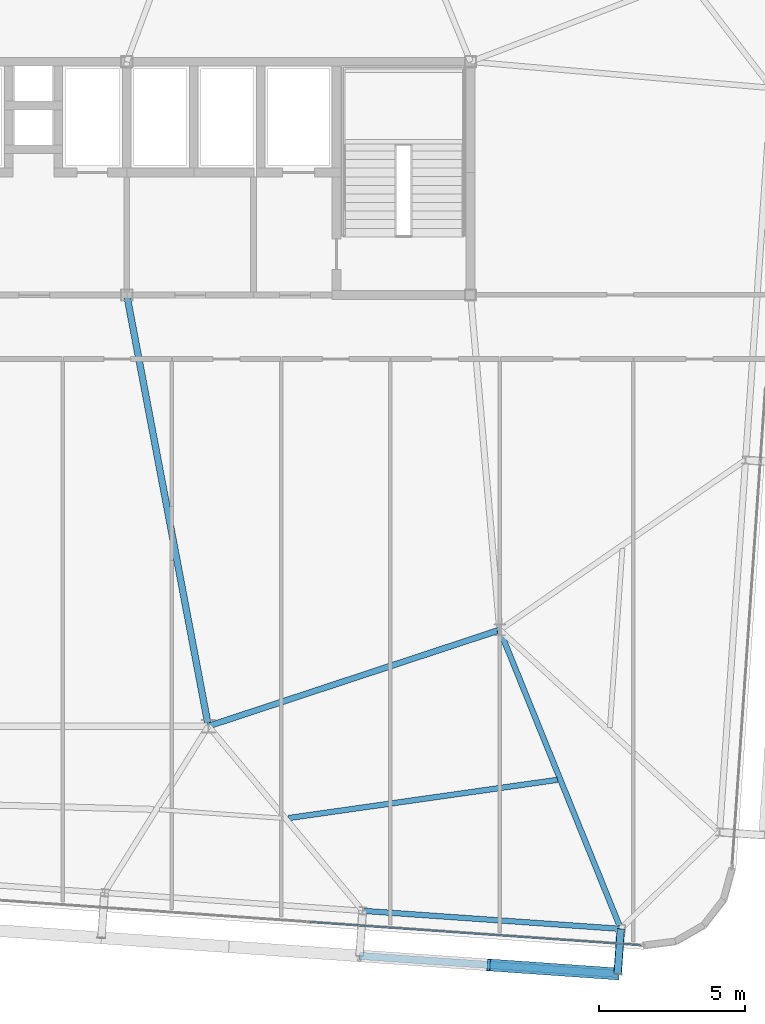
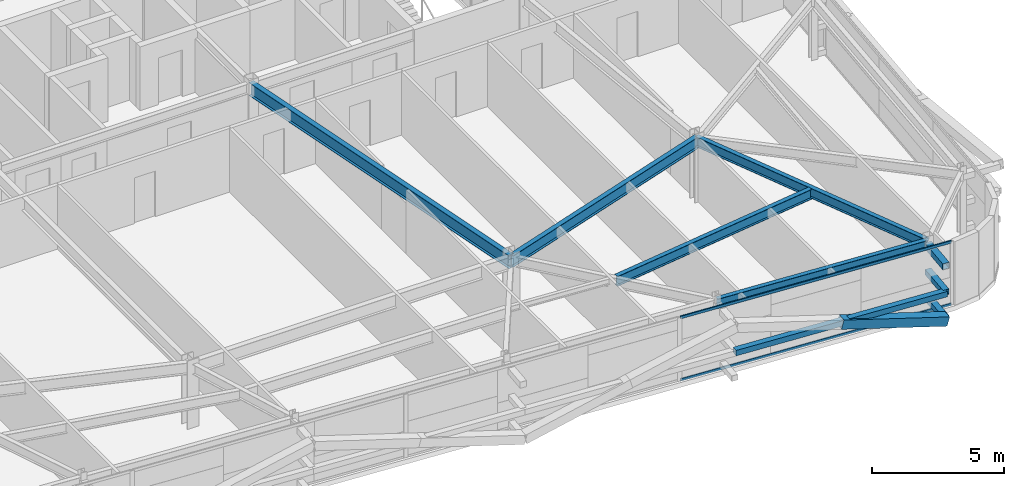
# One storey, part 14 of 39: 7 members, 5 beams, 1 element without a shape of its own.
"""IFC4 building model written with IfcOpenShell, lengths in metres."""

from ifc_helpers import new_model, si_unit, direction, frame, origin, origin_2d, place, context, subcontext, project, spatial, hollow_rectangle, i_section, extrude, source, transform, mapped, material, layer, layer_set, material_profile, profile_set, type_object, element, aggregate, save


model = new_model("IFC4")

# Units and contexts
model_context = context("Model", 3, precision=1e-05, world=origin(), true_north=direction((0.0, 1.0)))
body_context = subcontext(model_context, "Body", "Model", "MODEL_VIEW")
ifc_project = project(units=[si_unit("LENGTHUNIT", "METRE"), si_unit("AREAUNIT", "SQUARE_METRE"), si_unit("VOLUMEUNIT", "CUBIC_METRE"), si_unit("PLANEANGLEUNIT", "RADIAN"), si_unit("MASSUNIT", "GRAM", prefix="KILO")], contexts=[model_context])

# Site, building, storey
site_placement = place(None, origin())
site = spatial("IfcSite", under=ifc_project, at=site_placement, CompositionType="ELEMENT")
building_placement = place(site_placement, origin())
building = spatial("IfcBuilding", under=site, at=building_placement, Name="Taldren Reach Tower", CompositionType="ELEMENT")
storey_placement = place(building_placement, frame((0.0, 0.0, 136.14990234375)))
storey = spatial("IfcBuildingStorey", under=building, at=storey_placement, Name="L41", CompositionType="ELEMENT", Elevation=136.14990234375)

# Beams
ifc_material_1 = material(Name="Steel Gr 350 (350PLUS)", Category="steel")
ifc_material_profile_1 = material_profile(ifc_material_1, i_section(OverallWidth=0.208984375, OverallDepth=0.532958984375, WebThickness=0.01025390625, FlangeThickness=0.015625, at=origin_2d()), Name="530UB92.4")
ifc_profile_set_1 = profile_set([ifc_material_profile_1], Name="Steel Gr 350 (350PLUS)")
beam_type_1 = type_object("IfcBeamType", Name="BM-UB530A", PredefinedType="BEAM", material=ifc_profile_set_1)
shared_shape_1 = source(origin(), body_context, "Body", "SweptSolid", [
    extrude(i_section(OverallWidth=0.208984375, OverallDepth=0.532958984375, WebThickness=0.01025390625, FlangeThickness=0.015625, at=origin_2d()), origin(), (0.0, 0.0, 1.0), 10.530517578125),
])
beam_1_placement = place(storey_placement, frame((42.0, 9.199951171875, 2.66357421875), z_axis=(0.949627269203, 0.313381635689, 0.0), x_axis=(-0.313381635689, 0.949627269203, 0.0)))
element("IfcBeam", 1, at=beam_1_placement, inside=storey, type_object=beam_type_1, Name="Core-spine girder L41-SP12", PredefinedType="BEAM", context=body_context, shape_type="MappedRepresentation", body=[
    mapped(shared_shape_1, transform((0.0, 0.0, 0.0), scale=1.0)),
])
ifc_material_profile_2 = material_profile(ifc_material_1, i_section(OverallWidth=0.22802734375, OverallDepth=0.60205078125, WebThickness=0.010498046875, FlangeThickness=0.014892578125, at=origin_2d()), Name="610UB101")
ifc_profile_set_2 = profile_set([ifc_material_profile_2], Name="Steel Gr 350 (350PLUS)")
beam_type_2 = type_object("IfcBeamType", Name="BM-UB610B", PredefinedType="BEAM", material=ifc_profile_set_2)
shared_shape_2 = source(origin(), body_context, "Body", "SweptSolid", [
    extrude(i_section(OverallWidth=0.22802734375, OverallDepth=0.60205078125, WebThickness=0.010498046875, FlangeThickness=0.014892578125, at=origin_2d()), origin(), (0.0, 0.0, 1.0), 15.0625),
])
beam_2_placement = place(storey_placement, frame((39.199951171875, 24.0, 2.629150390625), z_axis=(0.185894205668, -0.982569765614, 0.0), x_axis=(0.982569765614, 0.185894205668, 0.0)))
element("IfcBeam", 2, at=beam_2_placement, inside=storey, type_object=beam_type_2, Name="Core-spine girder L41-SP15", PredefinedType="BEAM", context=body_context, shape_type="MappedRepresentation", body=[
    mapped(shared_shape_2, transform((0.0, 0.0, 0.0), scale=1.0)),
])

# Members
ifc_material_2 = material(Name="Steel Gr 450 (C450L0)", Category="steel")
ifc_material_profile_3 = material_profile(ifc_material_2, hollow_rectangle(XDim=0.27490234375, YDim=0.27490234375, WallThickness=0.00927734375, at=origin_2d()), Name="275x275x9.3SHS")
ifc_profile_set_3 = profile_set([ifc_material_profile_3], Name="Steel Gr 450 (C450L0)")
member_type_1 = type_object("IfcMemberType", Name="MB-TIE273", PredefinedType="STRUT", material=ifc_profile_set_3)
shared_shape_3 = source(origin(), body_context, "Body", "SweptSolid", [
    extrude(hollow_rectangle(XDim=0.27490234375, YDim=0.27490234375, WallThickness=0.00927734375, at=origin_2d()), origin(), (0.0, 0.0, 1.0), 1.5498046875),
])
member_1_placement = place(storey_placement, frame((56.155517578125, 2.2412109375, 2.650146484375), z_axis=(-0.069780535098, -0.997562367434, 0.0), x_axis=(0.997562367434, -0.069780535098, 0.0)))
element("IfcMember", 3, at=member_1_placement, inside=storey, type_object=member_type_1, Name="Exoskeleton diaphragm tie strut B3-S6 L41", PredefinedType="STRUT", context=body_context, shape_type="MappedRepresentation", body=[
    mapped(shared_shape_3, transform((0.0, 0.0, 0.0), scale=1.0)),
])
ifc_material_3 = material(Name="Steel Gr 350 (C350L0)", Category="steel")
ifc_material_profile_4 = material_profile(ifc_material_3, hollow_rectangle(XDim=0.25, YDim=0.25, WallThickness=0.010009765625, at=origin_2d()), Name="250x250x10.0SHS")
ifc_profile_set_4 = profile_set([ifc_material_profile_4], Name="Steel Gr 350 (C350L0)")
member_type_2 = type_object("IfcMemberType", Name="MB-POST250", PredefinedType="POST", material=ifc_profile_set_4)
shared_shape_4 = source(origin(), body_context, "Body", "SweptSolid", [
    extrude(hollow_rectangle(XDim=0.25, YDim=0.25, WallThickness=0.010009765625, at=origin_2d()), origin(), (0.0, 0.0, 1.0), 1.5498046875),
])
for number, where, z_axis, x_axis, name in (
    (4, (56.155517578125, 2.2412109375, 0.22021484375), (-0.069780535098, -0.997562367434, 0.0), (0.997562367434, -0.069780535098, 0.0), "Exoskeleton base diaphragm tie strut B3-S6 L41"),
    (5, (56.155517578125, 2.2412109375, 1.43505859375), (-0.069780535098, -0.997562367434, 0.0), (0.997562367434, -0.069780535098, 0.0), "Exoskeleton mid-tier diaphragm tie B3-S6 L41"),
):
    element("IfcMember", number, at=place(storey_placement, frame(where, z_axis=z_axis, x_axis=x_axis)), inside=storey, type_object=member_type_2, Name=name, PredefinedType="POST", context=body_context, shape_type="MappedRepresentation", body=[
        mapped(shared_shape_4, transform((0.0, 0.0, 0.0), scale=1.0)),
    ])

# Beams
ifc_material_profile_5 = material_profile(ifc_material_1, i_section(OverallWidth=0.18994140625, OverallDepth=0.4541015625, WebThickness=0.008544921875, FlangeThickness=0.0126953125, at=origin_2d()), Name="460UB67.1")
ifc_profile_set_5 = profile_set([ifc_material_profile_5], Name="Steel Gr 350 (350PLUS)")
beam_type_3 = type_object("IfcBeamType", Name="SP-UB460B", PredefinedType="SPANDREL", material=ifc_profile_set_5)
shared_shape_5 = source(origin(), body_context, "Body", "SweptSolid", [
    extrude(i_section(OverallWidth=0.18994140625, OverallDepth=0.4541015625, WebThickness=0.008544921875, FlangeThickness=0.0126953125, at=origin_2d()), origin(), (0.0, 0.0, 1.0), 8.880126953125),
])
beam_3_placement = place(storey_placement, frame((47.297119140625, 2.860595703125, 2.703125), z_axis=(0.997564479639, -0.069750333063, 0.0), x_axis=(0.069750333063, 0.997564479639, 0.0)))
element("IfcBeam", 6, at=beam_3_placement, inside=storey, type_object=beam_type_3, Name="Perimeter spandrel B3 S5-S6 L41", PredefinedType="SPANDREL", context=body_context, shape_type="MappedRepresentation", body=[
    mapped(shared_shape_5, transform((0.0, 0.0, 0.0), scale=1.0)),
])
ifc_material_profile_6 = material_profile(ifc_material_1, i_section(OverallWidth=0.19091796875, OverallDepth=0.4599609375, WebThickness=0.010009765625, FlangeThickness=0.01611328125, at=origin_2d()), Name="460UB82.1")
ifc_profile_set_6 = profile_set([ifc_material_profile_6], Name="Steel Gr 350 (350PLUS)")
beam_type_4 = type_object("IfcBeamType", Name="BM-UB460A", PredefinedType="BEAM", material=ifc_profile_set_6)
shared_shape_6 = source(origin(), body_context, "Body", "SweptSolid", [
    extrude(i_section(OverallWidth=0.19091796875, OverallDepth=0.4599609375, WebThickness=0.010009765625, FlangeThickness=0.01611328125, at=origin_2d()), origin(), (0.0, 0.0, 1.0), 11.068359375),
])
beam_4_placement = place(storey_placement, frame((52.0, 12.5, 2.7001953125), z_axis=(0.375437319636, -0.92684778633, 0.0), x_axis=(0.92684778633, 0.375437319636, 0.0)))
element("IfcBeam", 7, at=beam_4_placement, inside=storey, type_object=beam_type_4, Name="Primary floor girder B3-S6 L41", PredefinedType="BEAM", context=body_context, shape_type="MappedRepresentation", body=[
    mapped(shared_shape_6, transform((0.0, 0.0, 0.0), scale=1.0)),
])
shared_shape_7 = source(origin(), body_context, "Body", "SweptSolid", [
    extrude(i_section(OverallWidth=0.19091796875, OverallDepth=0.4599609375, WebThickness=0.010009765625, FlangeThickness=0.01611328125, at=origin_2d()), origin(), (0.0, 0.0, 1.0), 9.313232421875),
])
beam_5_placement = place(storey_placement, frame((44.759765625, 6.046142578125, 2.7001953125), z_axis=(0.990049385514, 0.140720340547, 0.0), x_axis=(-0.140720340547, 0.990049385514, 0.0)))
element("IfcBeam", 8, at=beam_5_placement, inside=storey, type_object=beam_type_4, Name="Secondary floor beam B3 J5 L41", PredefinedType="BEAM", context=body_context, shape_type="MappedRepresentation", body=[
    mapped(shared_shape_7, transform((0.0, 0.0, 0.0), scale=1.0)),
])

# Members
shared_shape_8 = source(origin(), body_context, "Body", "SweptSolid", [
    extrude(hollow_rectangle(XDim=0.25, YDim=0.25, WallThickness=0.010009765625, at=origin_2d()), origin(), (0.0, 0.0, 1.0), 8.880126953125),
])
member_2_placement = place(storey_placement, frame((47.18896484375, 1.314453125, 1.43505859375), z_axis=(0.997564479639, -0.069750333063, 0.0), x_axis=(0.069750333063, 0.997564479639, 0.0)))
element("IfcMember", 9, at=member_2_placement, inside=storey, type_object=member_type_2, Name="Exoskeleton mid-height ring chord B3-S5 L41", PredefinedType="POST", context=body_context, shape_type="MappedRepresentation", body=[
    mapped(shared_shape_8, transform((0.0, 0.0, 0.0), scale=1.0)),
])
ifc_material_profile_7 = material_profile(ifc_material_2, hollow_rectangle(XDim=0.409912109375, YDim=0.409912109375, WallThickness=0.01611328125, at=origin_2d()), Name="410x410x16.0SHS")
ifc_profile_set_7 = profile_set([ifc_material_profile_7], Name="Steel Gr 450 (C450L0)")
member_type_3 = type_object("IfcMemberType", Name="MB-EXO406", PredefinedType="BRACE", material=ifc_profile_set_7)
shared_shape_9 = source(origin(), body_context, "Body", "SweptSolid", [
    extrude(hollow_rectangle(XDim=0.409912109375, YDim=0.409912109375, WallThickness=0.01611328125, at=origin_2d()), origin(), (0.0, 0.0, 1.0), 4.603271484375),
])
member_3_placement = place(storey_placement, frame((56.04736328125, 0.695068359375, 0.22021484375), z_axis=(-0.962199253371, 0.067251055742, 0.263912660389), x_axis=(-0.069722973508, -0.997566392259, 0.0)))
element("IfcMember", 10, at=member_3_placement, inside=storey, type_object=member_type_3, Name="Exoskeleton Diagrid Brace B3-S5 L41", PredefinedType="BRACE", context=body_context, shape_type="MappedRepresentation", body=[
    mapped(shared_shape_9, transform((0.0, 0.0, 0.0), scale=1.0)),
])

# Curtain wall, members
ifc_material_4 = material(Name="Aluminium and Low-E Glass Unitised System", Category="aluminium")
ifc_layer = layer(ifc_material_4, 0.159912109375)
ifc_layer_set = layer_set([ifc_layer], Name="Aluminium and Low-E Glass Unitised System")
curtain_wall_type = type_object("IfcCurtainWallType", Name="CW-SYS-4", PredefinedType="NOTDEFINED", material=ifc_layer_set)
curtain_wall_placement = place(storey_placement, origin())
curtain_wall = element("IfcCurtainWall", 11, at=curtain_wall_placement, inside=storey, type_object=curtain_wall_type, Name="Unitised curtain wall CW-L41-S", PredefinedType="NOTDEFINED")
ifc_material_5 = material(Name="Anodised Aluminium 6063-T6", Category="aluminium")
ifc_material_profile_8 = material_profile(ifc_material_5, hollow_rectangle(XDim=0.054931640625, YDim=0.1201171875, WallThickness=0.0029296875, at=origin_2d()), Name="ALU-120x55x3RHS")
ifc_profile_set_8 = profile_set([ifc_material_profile_8], Name="Anodised Aluminium 6063-T6")
member_type_4 = type_object("IfcMemberType", Name="CW-TRN-135", PredefinedType="USERDEFINED", material=ifc_profile_set_8)
shared_shape_10 = source(origin(), body_context, "Body", "SweptSolid", [
    extrude(hollow_rectangle(XDim=0.054931640625, YDim=0.1201171875, WallThickness=0.0029296875, at=origin_2d()), origin(), (0.0, 0.0, 1.0), 11.395263671875),
])
member_4_placement = place(storey_placement, frame((45.480712890625, 2.476318359375, 0.027587890625), z_axis=(0.997565335668, -0.069738089122, 0.0), x_axis=(0.069738089122, 0.997565335668, 0.0)))
member_4 = element("IfcMember", 12, at=member_4_placement, type_object=member_type_4, Name="CW-4 transom 4.1", ObjectType="TRANSOM", PredefinedType="USERDEFINED", context=body_context, shape_type="MappedRepresentation", body=[
    mapped(shared_shape_10, transform((0.0, 0.0, 0.0), scale=1.0)),
])
member_5_placement = place(storey_placement, frame((45.480712890625, 2.476318359375, 2.902587890625), z_axis=(0.997565335668, -0.069738089122, 0.0), x_axis=(0.069738089122, 0.997565335668, 0.0)))
member_5 = element("IfcMember", 13, at=member_5_placement, type_object=member_type_4, Name="CW-4 transom 4.2", ObjectType="TRANSOM", PredefinedType="USERDEFINED", context=body_context, shape_type="MappedRepresentation", body=[
    mapped(shared_shape_10, transform((0.0, 0.0, 0.0), scale=1.0)),
])
aggregate(curtain_wall, [member_4, member_5])

save(model, "model.ifc")
